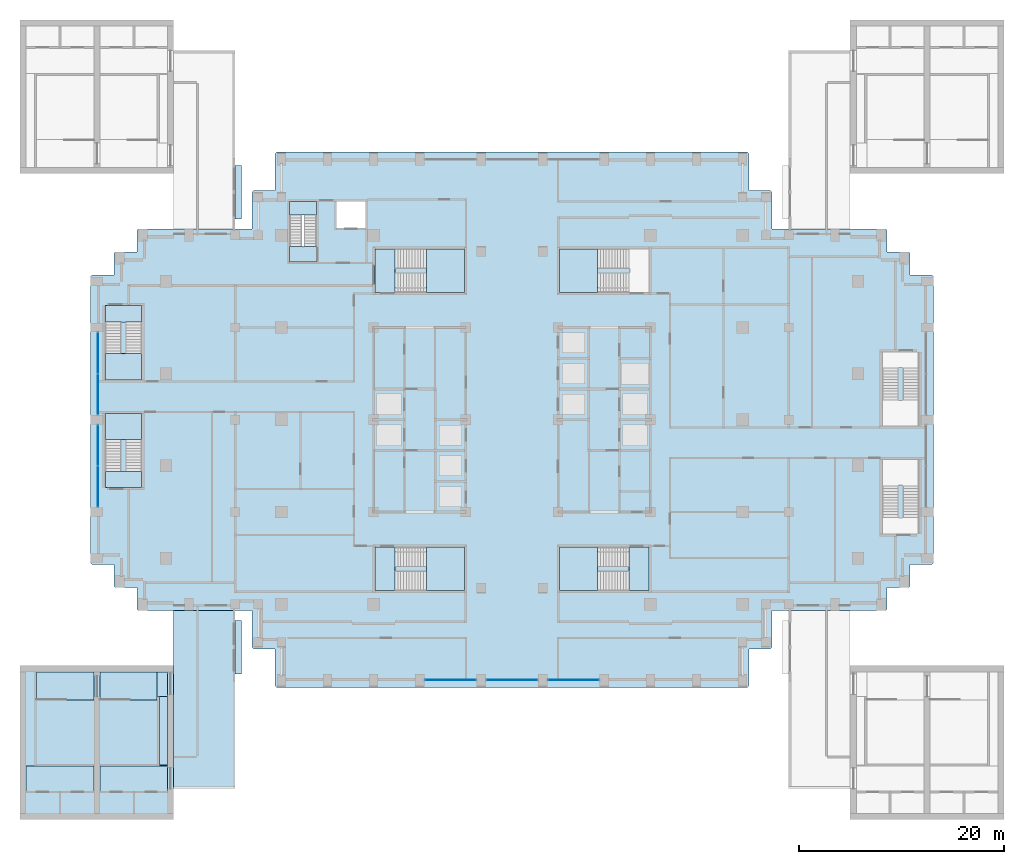
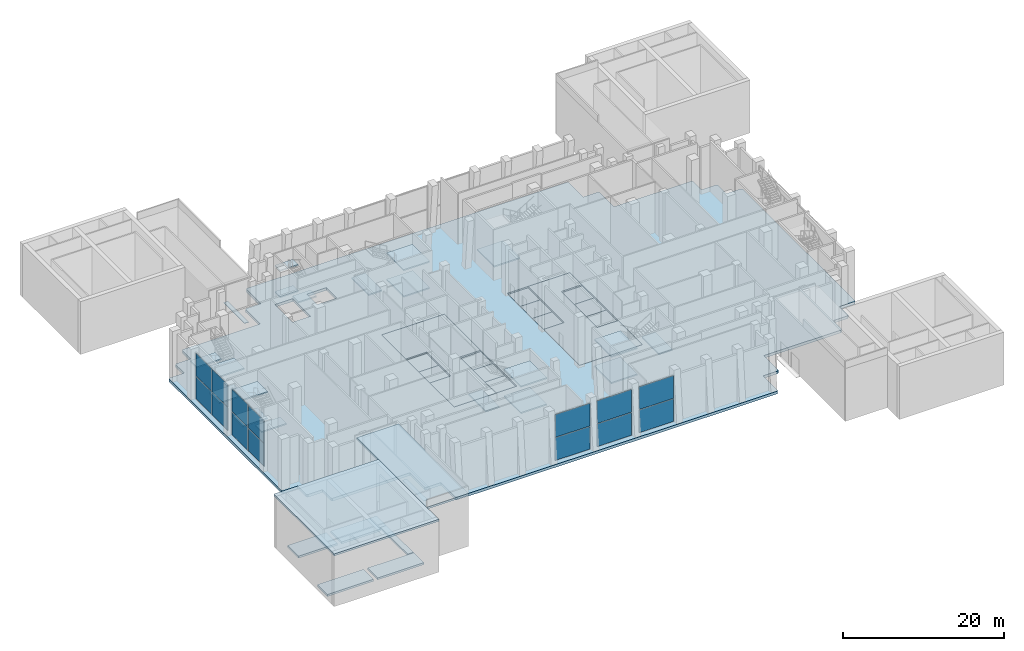
# One storey, part 8 of 24: 43 slabs, 14 plates, 12 elements without a shape of their own.
"""IFC4 building model written with IfcOpenShell, lengths in metres."""

from ifc_helpers import new_model, si_unit, direction, frame, origin, origin_2d, place, context, subcontext, project, spatial, polyline, rectangle, outline, extrude, material, layer, layer_set, type_object, element, aggregate, save


model = new_model("IFC4")

# Units and contexts
model_context = context("Model", 3, precision=1e-05, world=origin(), true_north=direction((0.0, 1.0)))
body_context = subcontext(model_context, "Body", "Model", "MODEL_VIEW")
ifc_project = project(units=[si_unit("LENGTHUNIT", "METRE"), si_unit("AREAUNIT", "SQUARE_METRE"), si_unit("VOLUMEUNIT", "CUBIC_METRE"), si_unit("PLANEANGLEUNIT", "RADIAN"), si_unit("MASSUNIT", "GRAM", prefix="KILO")], contexts=[model_context])

# Site, building, storey
site_placement = place(None, origin())
site = spatial("IfcSite", under=ifc_project, at=site_placement, CompositionType="ELEMENT")
building_placement = place(site_placement, origin())
building = spatial("IfcBuilding", under=site, at=building_placement, Name="Corbelhall Arena Tower", CompositionType="ELEMENT")
storey_placement = place(building_placement, frame((0.0, 0.0, 60.0)))
storey = spatial("IfcBuildingStorey", under=building, at=storey_placement, Name="L08", CompositionType="ELEMENT", Elevation=60.0)

# Slabs
ifc_material_1 = material(Name="Reinforced concrete C40/50", Category="concrete")
ifc_layer_1 = layer(ifc_material_1, 0.300048828125)
ifc_layer_set_1 = layer_set([ifc_layer_1], Name="AR-LINK-ROOF")
slab_type_1 = type_object("IfcSlabType", Name="AR-LINK-ROOF", PredefinedType="ROOF", material=ifc_layer_set_1)
slab_1_placement = place(storey_placement, frame((0.0, 0.0, 7.699951171875)))
element("IfcSlab", 1, at=slab_1_placement, inside=storey, type_object=slab_type_1, Name="Core SW roof", PredefinedType="ROOF", context=body_context, shape_type="SweptSolid", body=[
    extrude(outline(polyline([(-48.0, -39.0), (-33.0, -39.0), (-33.0, -24.0), (-48.0, -24.0), (-48.0, -39.0)])), origin(), (0.0, 0.0, 1.0), 0.300048828125),
])
slab_2_placement = place(storey_placement, frame((0.0, 0.0, 7.699951171875)))
element("IfcSlab", 2, at=slab_2_placement, inside=storey, type_object=slab_type_1, Name="Gallery LK4 roof", PredefinedType="ROOF", context=body_context, shape_type="SweptSolid", body=[
    extrude(outline(polyline([(-27.0, -36.0), (-33.0, -36.0), (-33.0, -18.60009765625), (-27.0, -18.60009765625), (-27.0, -36.0)])), origin(), (0.0, 0.0, 1.0), 0.300048828125),
])
ifc_layer_2 = layer(ifc_material_1, 0.300048828125)
ifc_layer_set_2 = layer_set([ifc_layer_2], Name="AR-STAIR-FLOOR")
slab_type_2 = type_object("IfcSlabType", Name="AR-STAIR-FLOOR", PredefinedType="FLOOR", material=ifc_layer_set_2)
slab_3_placement = place(storey_placement, frame((0.0, 0.0, -0.300048828125)))
element("IfcSlab", 3, at=slab_3_placement, inside=storey, type_object=slab_type_2, Name="Stair AS7 landing floor", PredefinedType="FLOOR", context=body_context, shape_type="SweptSolid", body=[
    extrude(outline(polyline([(-33.60009765625, -27.0), (-33.60009765625, -24.60009765625), (-34.610107421875, -24.60009765625), (-34.610107421875, -27.0), (-33.60009765625, -27.0)])), origin(), (0.0, 0.0, 1.0), 0.300048828125),
])
slab_4_placement = place(storey_placement, frame((0.0, 0.0, -0.300048828125)))
element("IfcSlab", 4, at=slab_4_placement, inside=storey, type_object=slab_type_2, Name="Stair AS7 floor", PredefinedType="FLOOR", context=body_context, shape_type="SweptSolid", body=[
    extrude(outline(polyline([(-40.199951171875, -24.60009765625), (-34.610107421875, -24.60009765625), (-34.610107421875, -27.322998046875), (-40.199951171875, -27.322998046875), (-40.199951171875, -24.60009765625)])), origin(), (0.0, 0.0, 1.0), 0.300048828125),
])
slab_5_placement = place(storey_placement, frame((0.0, 0.0, -0.300048828125)))
element("IfcSlab", 5, at=slab_5_placement, inside=storey, type_object=slab_type_2, Name="Stair AS8 floor", PredefinedType="FLOOR", context=body_context, shape_type="SweptSolid", body=[
    extrude(outline(polyline([(-46.389892578125, -24.60009765625), (-40.800048828125, -24.60009765625), (-40.800048828125, -27.322998046875), (-46.389892578125, -27.322998046875), (-46.389892578125, -24.60009765625)])), origin(), (0.0, 0.0, 1.0), 0.300048828125),
])
slab_6_placement = place(storey_placement, frame((0.0, 0.0, -0.300048828125)))
element("IfcSlab", 6, at=slab_6_placement, inside=storey, type_object=slab_type_2, Name="Lift lobby floor SW", PredefinedType="FLOOR", context=body_context, shape_type="SweptSolid", body=[
    extrude(outline(polyline([(-40.800048828125, -36.300048828125), (-40.800048828125, -33.800048828125), (-47.39990234375, -33.800048828125), (-47.39990234375, -36.300048828125), (-40.800048828125, -36.300048828125)])), origin(), (0.0, 0.0, 1.0), 0.300048828125),
])
slab_7_placement = place(storey_placement, frame((0.0, 0.0, -0.300048828125)))
element("IfcSlab", 7, at=slab_7_placement, inside=storey, type_object=slab_type_2, Name="Lift lobby floor SW", PredefinedType="FLOOR", context=body_context, shape_type="SweptSolid", body=[
    extrude(outline(polyline([(-33.60009765625, -36.300048828125), (-33.60009765625, -33.800048828125), (-40.199951171875, -33.800048828125), (-40.199951171875, -36.300048828125), (-33.60009765625, -36.300048828125)])), origin(), (0.0, 0.0, 1.0), 0.300048828125),
])
slab_8_placement = place(storey_placement, frame((0.0, 0.0, -0.300048828125)))
element("IfcSlab", 8, at=slab_8_placement, inside=storey, type_object=slab_type_2, Name="Strip floor SW", PredefinedType="FLOOR", context=body_context, shape_type="SweptSolid", body=[
    extrude(outline(polyline([(-33.60009765625, -33.699951171875), (-33.60009765625, -27.0), (-34.409912109375, -27.0), (-34.409912109375, -33.699951171875), (-33.60009765625, -33.699951171875)])), origin(), (0.0, 0.0, 1.0), 0.300048828125),
])

# Curtain wall, plates
ifc_material_2 = material(Name="Aluminium black anodised", Category="aluminium")
ifc_layer_3 = layer(ifc_material_2, 0.260009765625)
ifc_layer_set_3 = layer_set([ifc_layer_3], Name="EV-CW6 Ground lobby glazing")
curtain_wall_type = type_object("IfcCurtainWallType", Name="EV-CW6 Ground lobby glazing", PredefinedType="NOTDEFINED", material=ifc_layer_set_3)
curtain_wall_1_placement = place(storey_placement, origin())
curtain_wall_1 = element("IfcCurtainWall", 9, at=curtain_wall_1_placement, inside=storey, type_object=curtain_wall_type, Name="Curtain wall CW6A", PredefinedType="NOTDEFINED")
ifc_material_3 = material(Name="Glass dark tinted laminated", Category="glass")
ifc_layer_4 = layer(ifc_material_3, 0.028076171875)
ifc_layer_set_4 = layer_set([ifc_layer_4], Name="EV-CW6-PANEL")
plate_type = type_object("IfcPlateType", Name="EV-CW6-PANEL", PredefinedType="CURTAIN_PANEL", material=ifc_layer_set_4)
plate_1_placement = place(storey_placement, frame((-40.39990234375, 6.50634765625, 0.074951171875), z_axis=(0.0, 0.0, 1.0), x_axis=(0.0, -1.0, 0.0)))
plate_1 = element("IfcPlate", 10, at=plate_1_placement, type_object=plate_type, Name="CW6A panel 1.1", PredefinedType="CURTAIN_PANEL", context=body_context, shape_type="SweptSolid", body=[
    extrude(rectangle(XDim=3.9375, YDim=0.028076171875, at=origin_2d()), origin(), (0.0, 0.0, 1.0), 3.4375),
])
plate_2_placement = place(storey_placement, frame((-40.39990234375, 6.50634765625, 3.58740234375), z_axis=(0.0, 0.0, 1.0), x_axis=(0.0, -1.0, 0.0)))
plate_2 = element("IfcPlate", 11, at=plate_2_placement, type_object=plate_type, Name="CW6A panel 1.2", PredefinedType="CURTAIN_PANEL", context=body_context, shape_type="SweptSolid", body=[
    extrude(rectangle(XDim=3.9375, YDim=0.028076171875, at=origin_2d()), origin(), (0.0, 0.0, 1.0), 3.4375),
])
plate_3_placement = place(storey_placement, frame((-40.39990234375, 2.49365234375, 0.074951171875), z_axis=(0.0, 0.0, 1.0), x_axis=(0.0, -1.0, 0.0)))
plate_3 = element("IfcPlate", 12, at=plate_3_placement, type_object=plate_type, Name="CW6A panel 2.1", PredefinedType="CURTAIN_PANEL", context=body_context, shape_type="SweptSolid", body=[
    extrude(rectangle(XDim=3.9375, YDim=0.028076171875, at=origin_2d()), origin(), (0.0, 0.0, 1.0), 3.4375),
])
plate_4_placement = place(storey_placement, frame((-40.39990234375, 2.49365234375, 3.58740234375), z_axis=(0.0, 0.0, 1.0), x_axis=(0.0, -1.0, 0.0)))
plate_4 = element("IfcPlate", 13, at=plate_4_placement, type_object=plate_type, Name="CW6A panel 2.2", PredefinedType="CURTAIN_PANEL", context=body_context, shape_type="SweptSolid", body=[
    extrude(rectangle(XDim=3.9375, YDim=0.028076171875, at=origin_2d()), origin(), (0.0, 0.0, 1.0), 3.4375),
])
aggregate(curtain_wall_1, [plate_1, plate_2, plate_3, plate_4])

curtain_wall_2_placement = place(storey_placement, origin())
curtain_wall_2 = element("IfcCurtainWall", 14, at=curtain_wall_2_placement, inside=storey, type_object=curtain_wall_type, Name="Curtain wall CW6A", PredefinedType="NOTDEFINED")
plate_5_placement = place(storey_placement, frame((-40.39990234375, -2.49365234375, 0.074951171875), z_axis=(0.0, 0.0, 1.0), x_axis=(0.0, -1.0, 0.0)))
plate_5 = element("IfcPlate", 15, at=plate_5_placement, type_object=plate_type, Name="CW6A panel 1.1", PredefinedType="CURTAIN_PANEL", context=body_context, shape_type="SweptSolid", body=[
    extrude(rectangle(XDim=3.9375, YDim=0.028076171875, at=origin_2d()), origin(), (0.0, 0.0, 1.0), 3.4375),
])
plate_6_placement = place(storey_placement, frame((-40.39990234375, -2.49365234375, 3.58740234375), z_axis=(0.0, 0.0, 1.0), x_axis=(0.0, -1.0, 0.0)))
plate_6 = element("IfcPlate", 16, at=plate_6_placement, type_object=plate_type, Name="CW6A panel 1.2", PredefinedType="CURTAIN_PANEL", context=body_context, shape_type="SweptSolid", body=[
    extrude(rectangle(XDim=3.9375, YDim=0.028076171875, at=origin_2d()), origin(), (0.0, 0.0, 1.0), 3.4375),
])
plate_7_placement = place(storey_placement, frame((-40.39990234375, -6.50634765625, 0.074951171875), z_axis=(0.0, 0.0, 1.0), x_axis=(0.0, -1.0, 0.0)))
plate_7 = element("IfcPlate", 17, at=plate_7_placement, type_object=plate_type, Name="CW6A panel 2.1", PredefinedType="CURTAIN_PANEL", context=body_context, shape_type="SweptSolid", body=[
    extrude(rectangle(XDim=3.9375, YDim=0.028076171875, at=origin_2d()), origin(), (0.0, 0.0, 1.0), 3.4375),
])
plate_8_placement = place(storey_placement, frame((-40.39990234375, -6.50634765625, 3.58740234375), z_axis=(0.0, 0.0, 1.0), x_axis=(0.0, -1.0, 0.0)))
plate_8 = element("IfcPlate", 18, at=plate_8_placement, type_object=plate_type, Name="CW6A panel 2.2", PredefinedType="CURTAIN_PANEL", context=body_context, shape_type="SweptSolid", body=[
    extrude(rectangle(XDim=3.9375, YDim=0.028076171875, at=origin_2d()), origin(), (0.0, 0.0, 1.0), 3.4375),
])
aggregate(curtain_wall_2, [plate_5, plate_6, plate_7, plate_8])

curtain_wall_3_placement = place(storey_placement, origin())
curtain_wall_3 = element("IfcCurtainWall", 19, at=curtain_wall_3_placement, inside=storey, type_object=curtain_wall_type, Name="Curtain wall CW6", PredefinedType="NOTDEFINED")
plate_9_placement = place(storey_placement, frame((-6.0, -25.39990234375, 0.074951171875), z_axis=(0.0, 0.0, 1.0), x_axis=(1.0, 0.0, 0.0)))
plate_9 = element("IfcPlate", 20, at=plate_9_placement, type_object=plate_type, Name="CW6 panel 1.1", PredefinedType="CURTAIN_PANEL", context=body_context, shape_type="SweptSolid", body=[
    extrude(rectangle(XDim=4.949951171875, YDim=0.028076171875, at=origin_2d()), origin(), (0.0, 0.0, 1.0), 3.4375),
])
plate_10_placement = place(storey_placement, frame((-6.0, -25.39990234375, 3.58740234375), z_axis=(0.0, 0.0, 1.0), x_axis=(1.0, 0.0, 0.0)))
plate_10 = element("IfcPlate", 21, at=plate_10_placement, type_object=plate_type, Name="CW6 panel 1.2", PredefinedType="CURTAIN_PANEL", context=body_context, shape_type="SweptSolid", body=[
    extrude(rectangle(XDim=4.949951171875, YDim=0.028076171875, at=origin_2d()), origin(), (0.0, 0.0, 1.0), 3.4375),
])
aggregate(curtain_wall_3, [plate_9, plate_10])

curtain_wall_4_placement = place(storey_placement, origin())
curtain_wall_4 = element("IfcCurtainWall", 22, at=curtain_wall_4_placement, inside=storey, type_object=curtain_wall_type, Name="Curtain wall CW6", PredefinedType="NOTDEFINED")
plate_11_placement = place(storey_placement, frame((0.0, -25.39990234375, 0.074951171875), z_axis=(0.0, 0.0, 1.0), x_axis=(1.0, 0.0, 0.0)))
plate_11 = element("IfcPlate", 23, at=plate_11_placement, type_object=plate_type, Name="CW6 panel 1.1", PredefinedType="CURTAIN_PANEL", context=body_context, shape_type="SweptSolid", body=[
    extrude(rectangle(XDim=4.949951171875, YDim=0.028076171875, at=origin_2d()), origin(), (0.0, 0.0, 1.0), 3.4375),
])
plate_12_placement = place(storey_placement, frame((0.0, -25.39990234375, 3.58740234375), z_axis=(0.0, 0.0, 1.0), x_axis=(1.0, 0.0, 0.0)))
plate_12 = element("IfcPlate", 24, at=plate_12_placement, type_object=plate_type, Name="CW6 panel 1.2", PredefinedType="CURTAIN_PANEL", context=body_context, shape_type="SweptSolid", body=[
    extrude(rectangle(XDim=4.949951171875, YDim=0.028076171875, at=origin_2d()), origin(), (0.0, 0.0, 1.0), 3.4375),
])
aggregate(curtain_wall_4, [plate_11, plate_12])

curtain_wall_5_placement = place(storey_placement, origin())
curtain_wall_5 = element("IfcCurtainWall", 25, at=curtain_wall_5_placement, inside=storey, type_object=curtain_wall_type, Name="Curtain wall CW6", PredefinedType="NOTDEFINED")
plate_13_placement = place(storey_placement, frame((6.0, -25.39990234375, 0.074951171875), z_axis=(0.0, 0.0, 1.0), x_axis=(1.0, 0.0, 0.0)))
plate_13 = element("IfcPlate", 26, at=plate_13_placement, type_object=plate_type, Name="CW6 panel 1.1", PredefinedType="CURTAIN_PANEL", context=body_context, shape_type="SweptSolid", body=[
    extrude(rectangle(XDim=4.949951171875, YDim=0.028076171875, at=origin_2d()), origin(), (0.0, 0.0, 1.0), 3.4375),
])
plate_14_placement = place(storey_placement, frame((6.0, -25.39990234375, 3.58740234375), z_axis=(0.0, 0.0, 1.0), x_axis=(1.0, 0.0, 0.0)))
plate_14 = element("IfcPlate", 27, at=plate_14_placement, type_object=plate_type, Name="CW6 panel 1.2", PredefinedType="CURTAIN_PANEL", context=body_context, shape_type="SweptSolid", body=[
    extrude(rectangle(XDim=4.949951171875, YDim=0.028076171875, at=origin_2d()), origin(), (0.0, 0.0, 1.0), 3.4375),
])
aggregate(curtain_wall_5, [plate_13, plate_14])

# Slabs
ifc_material_4 = material(Name="Concrete C40/50", Category="concrete")
ifc_layer_5 = layer(ifc_material_4, 0.300048828125)
ifc_layer_set_5 = layer_set([ifc_layer_5], Name="IN-SL-CORE")
slab_type_3 = type_object("IfcSlabType", Name="IN-SL-CORE", PredefinedType="FLOOR", material=ifc_layer_set_5)
slab_9_placement = place(storey_placement, frame((0.0, 0.0, -0.409912109375)))
element("IfcSlab", 28, at=slab_9_placement, inside=storey, type_object=slab_type_3, Name="Core floor W", PredefinedType="FLOOR", context=body_context, shape_type="SweptSolid", body=[
    extrude(outline(polyline([(-7.5, 0.0), (-4.5, 0.0), (-4.5, 9.0), (-13.5, 9.0), (-13.5, 3.0), (-10.5, 3.0), (-10.5, 0.0), (-10.5, -3.0), (-13.5, -3.0), (-13.5, -9.0), (-7.5, -9.0), (-7.5, -6.0), (-7.5, -3.0), (-7.5, 0.0)])), origin(), (0.0, 0.0, 1.0), 0.409912109375),
])
slab_10_placement = place(storey_placement, frame((0.0, 0.0, -0.409912109375)))
element("IfcSlab", 29, at=slab_10_placement, inside=storey, type_object=slab_type_3, Name="Core floor E", PredefinedType="FLOOR", context=body_context, shape_type="SweptSolid", body=[
    extrude(outline(polyline([(7.5, 0.0), (4.5, 0.0), (4.5, -9.0), (13.5, -9.0), (13.5, -3.0), (10.5, -3.0), (10.5, 0.0), (10.5, 3.0), (10.5, 6.0), (13.5, 6.0), (13.5, 9.0), (7.5, 9.0), (7.5, 6.0), (7.5, 3.0), (7.5, 0.0)])), origin(), (0.0, 0.0, 1.0), 0.409912109375),
])
slab_11_placement = place(storey_placement, frame((0.0, 0.0, -0.409912109375)))
element("IfcSlab", 30, at=slab_11_placement, inside=storey, type_object=slab_type_3, Name="Lift pit slab E3", PredefinedType="FLOOR", context=body_context, shape_type="SweptSolid", body=[
    extrude(outline(polyline([(13.5, -3.0), (13.5, 0.0), (10.5, 0.0), (10.5, -3.0), (13.5, -3.0)])), origin(), (0.0, 0.0, 1.0), 0.199951171875),
])
slab_12_placement = place(storey_placement, frame((0.0, 0.0, -0.409912109375)))
element("IfcSlab", 31, at=slab_12_placement, inside=storey, type_object=slab_type_3, Name="Lift pit slab E4", PredefinedType="FLOOR", context=body_context, shape_type="SweptSolid", body=[
    extrude(outline(polyline([(13.5, 0.0), (13.5, 3.0), (10.5, 3.0), (10.5, 0.0), (13.5, 0.0)])), origin(), (0.0, 0.0, 1.0), 0.199951171875),
])
slab_13_placement = place(storey_placement, frame((0.0, 0.0, -0.409912109375)))
element("IfcSlab", 32, at=slab_13_placement, inside=storey, type_object=slab_type_3, Name="Lift pit slab W3", PredefinedType="FLOOR", context=body_context, shape_type="SweptSolid", body=[
    extrude(outline(polyline([(-10.5, -3.0), (-10.5, 0.0), (-13.5, 0.0), (-13.5, -3.0), (-10.5, -3.0)])), origin(), (0.0, 0.0, 1.0), 0.199951171875),
])
slab_14_placement = place(storey_placement, frame((0.0, 0.0, -0.409912109375)))
element("IfcSlab", 33, at=slab_14_placement, inside=storey, type_object=slab_type_3, Name="Lift pit slab W4", PredefinedType="FLOOR", context=body_context, shape_type="SweptSolid", body=[
    extrude(outline(polyline([(-10.5, 0.0), (-10.5, 3.0), (-13.5, 3.0), (-13.5, 0.0), (-10.5, 0.0)])), origin(), (0.0, 0.0, 1.0), 0.199951171875),
])
slab_15_placement = place(storey_placement, frame((0.0, 0.0, -0.409912109375)))
element("IfcSlab", 34, at=slab_15_placement, inside=storey, type_object=slab_type_3, Name="Lift pit slab E4", PredefinedType="FLOOR", context=body_context, shape_type="SweptSolid", body=[
    extrude(outline(polyline([(7.5, 0.0), (7.5, 3.0), (4.5, 3.0), (4.5, 0.0), (7.5, 0.0)])), origin(), (0.0, 0.0, 1.0), 0.199951171875),
])
slab_16_placement = place(storey_placement, frame((0.0, 0.0, -0.409912109375)))
element("IfcSlab", 35, at=slab_16_placement, inside=storey, type_object=slab_type_3, Name="Lift pit slab E5", PredefinedType="FLOOR", context=body_context, shape_type="SweptSolid", body=[
    extrude(outline(polyline([(7.5, 3.0), (7.5, 6.0), (4.5, 6.0), (4.5, 3.0), (7.5, 3.0)])), origin(), (0.0, 0.0, 1.0), 0.199951171875),
])
slab_17_placement = place(storey_placement, frame((0.0, 0.0, -0.409912109375)))
element("IfcSlab", 36, at=slab_17_placement, inside=storey, type_object=slab_type_3, Name="Lift pit slab E6", PredefinedType="FLOOR", context=body_context, shape_type="SweptSolid", body=[
    extrude(outline(polyline([(7.5, 6.0), (7.5, 9.0), (4.5, 9.0), (4.5, 6.0), (7.5, 6.0)])), origin(), (0.0, 0.0, 1.0), 0.199951171875),
])
slab_18_placement = place(storey_placement, frame((0.0, 0.0, -0.409912109375)))
element("IfcSlab", 37, at=slab_18_placement, inside=storey, type_object=slab_type_3, Name="Lift pit slab W1", PredefinedType="FLOOR", context=body_context, shape_type="SweptSolid", body=[
    extrude(outline(polyline([(-4.5, -9.0), (-4.5, -6.0), (-7.5, -6.0), (-7.5, -9.0), (-4.5, -9.0)])), origin(), (0.0, 0.0, 1.0), 0.199951171875),
])
slab_19_placement = place(storey_placement, frame((0.0, 0.0, -0.409912109375)))
element("IfcSlab", 38, at=slab_19_placement, inside=storey, type_object=slab_type_3, Name="Lift pit slab W2", PredefinedType="FLOOR", context=body_context, shape_type="SweptSolid", body=[
    extrude(outline(polyline([(-4.5, -6.0), (-4.5, -3.0), (-7.5, -3.0), (-7.5, -6.0), (-4.5, -6.0)])), origin(), (0.0, 0.0, 1.0), 0.199951171875),
])
slab_20_placement = place(storey_placement, frame((0.0, 0.0, -0.409912109375)))
element("IfcSlab", 39, at=slab_20_placement, inside=storey, type_object=slab_type_3, Name="Lift pit slab W3", PredefinedType="FLOOR", context=body_context, shape_type="SweptSolid", body=[
    extrude(outline(polyline([(-4.5, -3.0), (-4.5, 0.0), (-7.5, 0.0), (-7.5, -3.0), (-4.5, -3.0)])), origin(), (0.0, 0.0, 1.0), 0.199951171875),
])
slab_21_placement = place(storey_placement, frame((0.0, 0.0, -0.409912109375)))
element("IfcSlab", 40, at=slab_21_placement, inside=storey, type_object=slab_type_3, Name="Lift pit slab E5", PredefinedType="FLOOR", context=body_context, shape_type="SweptSolid", body=[
    extrude(outline(polyline([(13.5, 3.0), (13.5, 6.0), (10.5, 6.0), (10.5, 3.0), (13.5, 3.0)])), origin(), (0.0, 0.0, 1.0), 0.199951171875),
])

# Stair, slabs
stair_type = type_object("IfcStairType", Name="IN-ST-TOWER", PredefinedType="HALF_TURN_STAIR", material=ifc_material_4)
stair_1_placement = place(storey_placement, origin())
stair_1 = element("IfcStair", 41, at=stair_1_placement, inside=storey, type_object=stair_type, Name="L08 Exit stair ST1", PredefinedType="HALF_TURN_STAIR")
ifc_layer_6 = layer(ifc_material_4, 0.199951171875)
ifc_layer_set_6 = layer_set([ifc_layer_6], Name="IN-SL-LANDING")
slab_type_4 = type_object("IfcSlabType", Name="IN-SL-LANDING", PredefinedType="LANDING", material=ifc_layer_set_6)
slab_22_placement = place(storey_placement, frame((0.0, 0.0, 1.800048828125)))
slab_22 = element("IfcSlab", 42, at=slab_22_placement, type_object=slab_type_4, Name="ST1 landing 1", PredefinedType="LANDING", context=body_context, shape_type="SweptSolid", body=[
    extrude(outline(polyline([(-8.344970703125, 12.425048828125), (-4.625, 12.425048828125), (-4.625, 16.675048828125), (-8.344970703125, 16.675048828125), (-8.344970703125, 12.425048828125)])), origin(), (0.0, 0.0, 1.0), 0.199951171875),
])
slab_23_placement = place(storey_placement, frame((0.0, 0.0, 3.800048828125)))
slab_23 = element("IfcSlab", 43, at=slab_23_placement, type_object=slab_type_4, Name="ST1 landing 2", PredefinedType="LANDING", context=body_context, shape_type="SweptSolid", body=[
    extrude(outline(polyline([(-13.375, 12.425048828125), (-11.425048828125, 12.425048828125), (-11.425048828125, 16.675048828125), (-13.375, 16.675048828125), (-13.375, 12.425048828125)])), origin(), (0.0, 0.0, 1.0), 0.199951171875),
])
slab_24_placement = place(storey_placement, frame((0.0, 0.0, 5.800048828125)))
slab_24 = element("IfcSlab", 44, at=slab_24_placement, type_object=slab_type_4, Name="ST1 landing 3", PredefinedType="LANDING", context=body_context, shape_type="SweptSolid", body=[
    extrude(outline(polyline([(-8.344970703125, 12.425048828125), (-4.625, 12.425048828125), (-4.625, 16.675048828125), (-8.344970703125, 16.675048828125), (-8.344970703125, 12.425048828125)])), origin(), (0.0, 0.0, 1.0), 0.199951171875),
])
aggregate(stair_1, [slab_22, slab_23, slab_24])

stair_2_placement = place(storey_placement, origin())
stair_2 = element("IfcStair", 45, at=stair_2_placement, inside=storey, type_object=stair_type, Name="L08 Exit stair ST2", PredefinedType="HALF_TURN_STAIR")
slab_25_placement = place(storey_placement, frame((0.0, 0.0, 1.800048828125)))
slab_25 = element("IfcSlab", 46, at=slab_25_placement, type_object=slab_type_4, Name="ST2 landing 1", PredefinedType="LANDING", context=body_context, shape_type="SweptSolid", body=[
    extrude(outline(polyline([(-8.344970703125, -16.675048828125), (-4.625, -16.675048828125), (-4.625, -12.425048828125), (-8.344970703125, -12.425048828125), (-8.344970703125, -16.675048828125)])), origin(), (0.0, 0.0, 1.0), 0.199951171875),
])
slab_26_placement = place(storey_placement, frame((0.0, 0.0, 3.800048828125)))
slab_26 = element("IfcSlab", 47, at=slab_26_placement, type_object=slab_type_4, Name="ST2 landing 2", PredefinedType="LANDING", context=body_context, shape_type="SweptSolid", body=[
    extrude(outline(polyline([(-13.375, -16.675048828125), (-11.425048828125, -16.675048828125), (-11.425048828125, -12.425048828125), (-13.375, -12.425048828125), (-13.375, -16.675048828125)])), origin(), (0.0, 0.0, 1.0), 0.199951171875),
])
slab_27_placement = place(storey_placement, frame((0.0, 0.0, 5.800048828125)))
slab_27 = element("IfcSlab", 48, at=slab_27_placement, type_object=slab_type_4, Name="ST2 landing 3", PredefinedType="LANDING", context=body_context, shape_type="SweptSolid", body=[
    extrude(outline(polyline([(-8.344970703125, -16.675048828125), (-4.625, -16.675048828125), (-4.625, -12.425048828125), (-8.344970703125, -12.425048828125), (-8.344970703125, -16.675048828125)])), origin(), (0.0, 0.0, 1.0), 0.199951171875),
])
aggregate(stair_2, [slab_25, slab_26, slab_27])

# Stair, slab
stair_3_placement = place(storey_placement, origin())
stair_3 = element("IfcStair", 49, at=stair_3_placement, inside=storey, type_object=stair_type, Name="L08 Exit stair ST3", PredefinedType="HALF_TURN_STAIR")
slab_28_placement = place(storey_placement, frame((0.0, 0.0, 1.800048828125)))
slab_28 = element("IfcSlab", 50, at=slab_28_placement, type_object=slab_type_4, Name="ST3 landing 1", PredefinedType="LANDING", context=body_context, shape_type="SweptSolid", body=[
    extrude(outline(polyline([(8.344970703125, 16.675048828125), (4.625, 16.675048828125), (4.625, 12.425048828125), (8.344970703125, 12.425048828125), (8.344970703125, 16.675048828125)])), origin(), (0.0, 0.0, 1.0), 0.199951171875),
])
aggregate(stair_3, [slab_28])

# Stair, slabs
stair_4_placement = place(storey_placement, origin())
stair_4 = element("IfcStair", 51, at=stair_4_placement, inside=storey, type_object=stair_type, Name="L08 Exit stair ST4", PredefinedType="HALF_TURN_STAIR")
slab_29_placement = place(storey_placement, frame((0.0, 0.0, 1.800048828125)))
slab_29 = element("IfcSlab", 52, at=slab_29_placement, type_object=slab_type_4, Name="ST4 landing 1", PredefinedType="LANDING", context=body_context, shape_type="SweptSolid", body=[
    extrude(outline(polyline([(8.344970703125, -12.425048828125), (4.625, -12.425048828125), (4.625, -16.675048828125), (8.344970703125, -16.675048828125), (8.344970703125, -12.425048828125)])), origin(), (0.0, 0.0, 1.0), 0.199951171875),
])
slab_30_placement = place(storey_placement, frame((0.0, 0.0, 3.800048828125)))
slab_30 = element("IfcSlab", 53, at=slab_30_placement, type_object=slab_type_4, Name="ST4 landing 2", PredefinedType="LANDING", context=body_context, shape_type="SweptSolid", body=[
    extrude(outline(polyline([(13.375, -12.425048828125), (11.425048828125, -12.425048828125), (11.425048828125, -16.675048828125), (13.375, -16.675048828125), (13.375, -12.425048828125)])), origin(), (0.0, 0.0, 1.0), 0.199951171875),
])
slab_31_placement = place(storey_placement, frame((0.0, 0.0, 5.800048828125)))
slab_31 = element("IfcSlab", 54, at=slab_31_placement, type_object=slab_type_4, Name="ST4 landing 3", PredefinedType="LANDING", context=body_context, shape_type="SweptSolid", body=[
    extrude(outline(polyline([(8.344970703125, -12.425048828125), (4.625, -12.425048828125), (4.625, -16.675048828125), (8.344970703125, -16.675048828125), (8.344970703125, -12.425048828125)])), origin(), (0.0, 0.0, 1.0), 0.199951171875),
])
aggregate(stair_4, [slab_29, slab_30, slab_31])

stair_5_placement = place(storey_placement, origin())
stair_5 = element("IfcStair", 55, at=stair_5_placement, inside=storey, type_object=stair_type, Name="L08 Exit stair SC1", PredefinedType="HALF_TURN_STAIR")
slab_32_placement = place(storey_placement, frame((0.0, 0.0, 1.800048828125)))
slab_32 = element("IfcSlab", 56, at=slab_32_placement, type_object=slab_type_4, Name="SC1 landing 1", PredefinedType="LANDING", context=body_context, shape_type="SweptSolid", body=[
    extrude(outline(polyline([(-39.699951171875, 6.445068359375), (-39.699951171875, 3.875), (-36.125, 3.875), (-36.125, 6.445068359375), (-39.699951171875, 6.445068359375)])), origin(), (0.0, 0.0, 1.0), 0.199951171875),
])
slab_33_placement = place(storey_placement, frame((0.0, 0.0, 3.800048828125)))
slab_33 = element("IfcSlab", 57, at=slab_33_placement, type_object=slab_type_4, Name="SC1 landing 2", PredefinedType="LANDING", context=body_context, shape_type="SweptSolid", body=[
    extrude(outline(polyline([(-39.699951171875, 11.125), (-39.699951171875, 9.52490234375), (-36.125, 9.52490234375), (-36.125, 11.125), (-39.699951171875, 11.125)])), origin(), (0.0, 0.0, 1.0), 0.199951171875),
])
slab_34_placement = place(storey_placement, frame((0.0, 0.0, 5.800048828125)))
slab_34 = element("IfcSlab", 58, at=slab_34_placement, type_object=slab_type_4, Name="SC1 landing 3", PredefinedType="LANDING", context=body_context, shape_type="SweptSolid", body=[
    extrude(outline(polyline([(-39.699951171875, 6.445068359375), (-39.699951171875, 3.875), (-36.125, 3.875), (-36.125, 6.445068359375), (-39.699951171875, 6.445068359375)])), origin(), (0.0, 0.0, 1.0), 0.199951171875),
])
aggregate(stair_5, [slab_32, slab_33, slab_34])

stair_6_placement = place(storey_placement, origin())
stair_6 = element("IfcStair", 59, at=stair_6_placement, inside=storey, type_object=stair_type, Name="L08 Exit stair SC2", PredefinedType="HALF_TURN_STAIR")
slab_35_placement = place(storey_placement, frame((0.0, 0.0, 1.800048828125)))
slab_35 = element("IfcSlab", 60, at=slab_35_placement, type_object=slab_type_4, Name="SC2 landing 1", PredefinedType="LANDING", context=body_context, shape_type="SweptSolid", body=[
    extrude(outline(polyline([(-36.125, -1.945068359375), (-36.125, 0.625), (-39.699951171875, 0.625), (-39.699951171875, -1.945068359375), (-36.125, -1.945068359375)])), origin(), (0.0, 0.0, 1.0), 0.199951171875),
])
slab_36_placement = place(storey_placement, frame((0.0, 0.0, 3.800048828125)))
slab_36 = element("IfcSlab", 61, at=slab_36_placement, type_object=slab_type_4, Name="SC2 landing 2", PredefinedType="LANDING", context=body_context, shape_type="SweptSolid", body=[
    extrude(outline(polyline([(-36.125, -6.625), (-36.125, -5.02490234375), (-39.699951171875, -5.02490234375), (-39.699951171875, -6.625), (-36.125, -6.625)])), origin(), (0.0, 0.0, 1.0), 0.199951171875),
])
slab_37_placement = place(storey_placement, frame((0.0, 0.0, 5.800048828125)))
slab_37 = element("IfcSlab", 62, at=slab_37_placement, type_object=slab_type_4, Name="SC2 landing 3", PredefinedType="LANDING", context=body_context, shape_type="SweptSolid", body=[
    extrude(outline(polyline([(-36.125, -1.945068359375), (-36.125, 0.625), (-39.699951171875, 0.625), (-39.699951171875, -1.945068359375), (-36.125, -1.945068359375)])), origin(), (0.0, 0.0, 1.0), 0.199951171875),
])
aggregate(stair_6, [slab_35, slab_36, slab_37])

stair_7_placement = place(storey_placement, origin())
stair_7 = element("IfcStair", 63, at=stair_7_placement, inside=storey, type_object=stair_type, Name="L08 Exit stair ST5", PredefinedType="HALF_TURN_STAIR")
slab_38_placement = place(storey_placement, frame((0.0, 0.0, 1.800048828125)))
slab_38 = element("IfcSlab", 64, at=slab_38_placement, type_object=slab_type_4, Name="ST5 landing 1", PredefinedType="LANDING", context=body_context, shape_type="SweptSolid", body=[
    extrude(outline(polyline([(-19.094970703125, 19.97998046875), (-19.094970703125, 21.300048828125), (-21.695068359375, 21.300048828125), (-21.695068359375, 19.97998046875), (-19.094970703125, 19.97998046875)])), origin(), (0.0, 0.0, 1.0), 0.199951171875),
])
slab_39_placement = place(storey_placement, frame((0.0, 0.0, 3.800048828125)))
slab_39 = element("IfcSlab", 65, at=slab_39_placement, type_object=slab_type_4, Name="ST5 landing 2", PredefinedType="LANDING", context=body_context, shape_type="SweptSolid", body=[
    extrude(outline(polyline([(-19.094970703125, 15.39990234375), (-19.094970703125, 16.89990234375), (-21.695068359375, 16.89990234375), (-21.695068359375, 15.39990234375), (-19.094970703125, 15.39990234375)])), origin(), (0.0, 0.0, 1.0), 0.199951171875),
])
slab_40_placement = place(storey_placement, frame((0.0, 0.0, 5.800048828125)))
slab_40 = element("IfcSlab", 66, at=slab_40_placement, type_object=slab_type_4, Name="ST5 landing 3", PredefinedType="LANDING", context=body_context, shape_type="SweptSolid", body=[
    extrude(outline(polyline([(-19.094970703125, 19.97998046875), (-19.094970703125, 21.300048828125), (-21.695068359375, 21.300048828125), (-21.695068359375, 19.97998046875), (-19.094970703125, 19.97998046875)])), origin(), (0.0, 0.0, 1.0), 0.199951171875),
])
aggregate(stair_7, [slab_38, slab_39, slab_40])

# Slabs
ifc_material_5 = material(Name="Steel ASTM A572 Gr50", Category="steel")
ifc_layer_7 = layer(ifc_material_5, 0.050048828125)
ifc_layer_set_7 = layer_set([ifc_layer_7], Name="PO-GALLERY-PLATE")
slab_type_5 = type_object("IfcSlabType", Name="PO-GALLERY-PLATE", PredefinedType="FLOOR", material=ifc_layer_set_7)
slab_41_placement = place(storey_placement, origin())
element("IfcSlab", 67, at=slab_41_placement, inside=storey, type_object=slab_type_5, Name="Gallery floor plate", PredefinedType="FLOOR", context=body_context, shape_type="SweptSolid", body=[
    extrude(outline(polyline([(-26.39990234375, 19.60009765625), (-26.39990234375, 24.800048828125), (-27.0, 24.800048828125), (-27.0, 19.60009765625), (-26.39990234375, 19.60009765625)])), origin(), (0.0, 0.0, 1.0), 0.050048828125),
])
slab_42_placement = place(storey_placement, origin())
element("IfcSlab", 68, at=slab_42_placement, inside=storey, type_object=slab_type_5, Name="Gallery floor plate", PredefinedType="FLOOR", context=body_context, shape_type="SweptSolid", body=[
    extrude(outline(polyline([(-26.39990234375, -24.800048828125), (-26.39990234375, -19.60009765625), (-27.0, -19.60009765625), (-27.0, -24.800048828125), (-26.39990234375, -24.800048828125)])), origin(), (0.0, 0.0, 1.0), 0.050048828125),
])
ifc_layer_8 = layer(ifc_material_4, 0.409912109375)
ifc_layer_set_8 = layer_set([ifc_layer_8], Name="ST-SLAB-FLOOR-410")
slab_type_6 = type_object("IfcSlabType", Name="ST-SLAB-FLOOR-410", PredefinedType="FLOOR", material=ifc_layer_set_8)
slab_43_placement = place(storey_placement, frame((0.0, 0.0, -0.409912109375)))
element("IfcSlab", 69, at=slab_43_placement, inside=storey, type_object=slab_type_6, Name="Floor slab L08 1", PredefinedType="FLOOR", context=body_context, shape_type="SweptSolid", body=[
    extrude(outline(polyline([(23.10009765625, 25.949951171875), (22.949951171875, 26.10009765625), (-22.949951171875, 26.10009765625), (-23.10009765625, 25.949951171875), (-23.10009765625, 22.35009765625), (-25.199951171875, 22.35009765625), (-25.35009765625, 22.199951171875), (-25.35009765625, 18.60009765625), (-36.449951171875, 18.60009765625), (-36.60009765625, 18.449951171875), (-36.60009765625, 16.35009765625), (-38.699951171875, 16.35009765625), (-38.85009765625, 16.199951171875), (-38.85009765625, 14.10009765625), (-40.949951171875, 14.10009765625), (-41.10009765625, 13.949951171875), (-41.10009765625, -13.949951171875), (-40.949951171875, -14.10009765625), (-38.85009765625, -14.10009765625), (-38.85009765625, -16.199951171875), (-38.699951171875, -16.35009765625), (-36.60009765625, -16.35009765625), (-36.60009765625, -18.449951171875), (-36.449951171875, -18.60009765625), (-25.35009765625, -18.60009765625), (-25.35009765625, -22.199951171875), (-25.199951171875, -22.35009765625), (-23.10009765625, -22.35009765625), (-23.10009765625, -25.949951171875), (-22.949951171875, -26.10009765625), (22.949951171875, -26.10009765625), (23.10009765625, -25.949951171875), (23.10009765625, -22.35009765625), (25.199951171875, -22.35009765625), (25.35009765625, -22.199951171875), (25.35009765625, -18.60009765625), (36.449951171875, -18.60009765625), (36.60009765625, -18.449951171875), (36.60009765625, -16.35009765625), (38.699951171875, -16.35009765625), (38.85009765625, -16.199951171875), (38.85009765625, -14.10009765625), (40.949951171875, -14.10009765625), (41.10009765625, -13.949951171875), (41.10009765625, 13.949951171875), (40.949951171875, 14.10009765625), (38.85009765625, 14.10009765625), (38.85009765625, 16.199951171875), (38.699951171875, 16.35009765625), (36.60009765625, 16.35009765625), (36.60009765625, 18.449951171875), (36.449951171875, 18.60009765625), (25.35009765625, 18.60009765625), (25.35009765625, 22.199951171875), (25.199951171875, 22.35009765625), (23.10009765625, 22.35009765625), (23.10009765625, 25.949951171875)]), holes=[polyline([(-13.5, 9.0), (-13.5, -9.0), (-4.5, -9.0), (-4.5, 9.0), (-13.5, 9.0)]), polyline([(4.5, 9.0), (4.5, -9.0), (13.5, -9.0), (13.5, 9.0), (4.5, 9.0)]), polyline([(-21.695068359375, 21.300048828125), (-21.695068359375, 16.903076171875), (-19.094970703125, 16.903076171875), (-19.094970703125, 21.300048828125), (-21.695068359375, 21.300048828125)]), polyline([(-14.300048828125, 21.300048828125), (-17.10009765625, 21.300048828125), (-17.10009765625, 18.699951171875), (-14.300048828125, 18.699951171875), (-14.300048828125, 21.300048828125)])]), origin(), (0.0, 0.0, 1.0), 0.409912109375),
])

save(model, "model.ifc")
